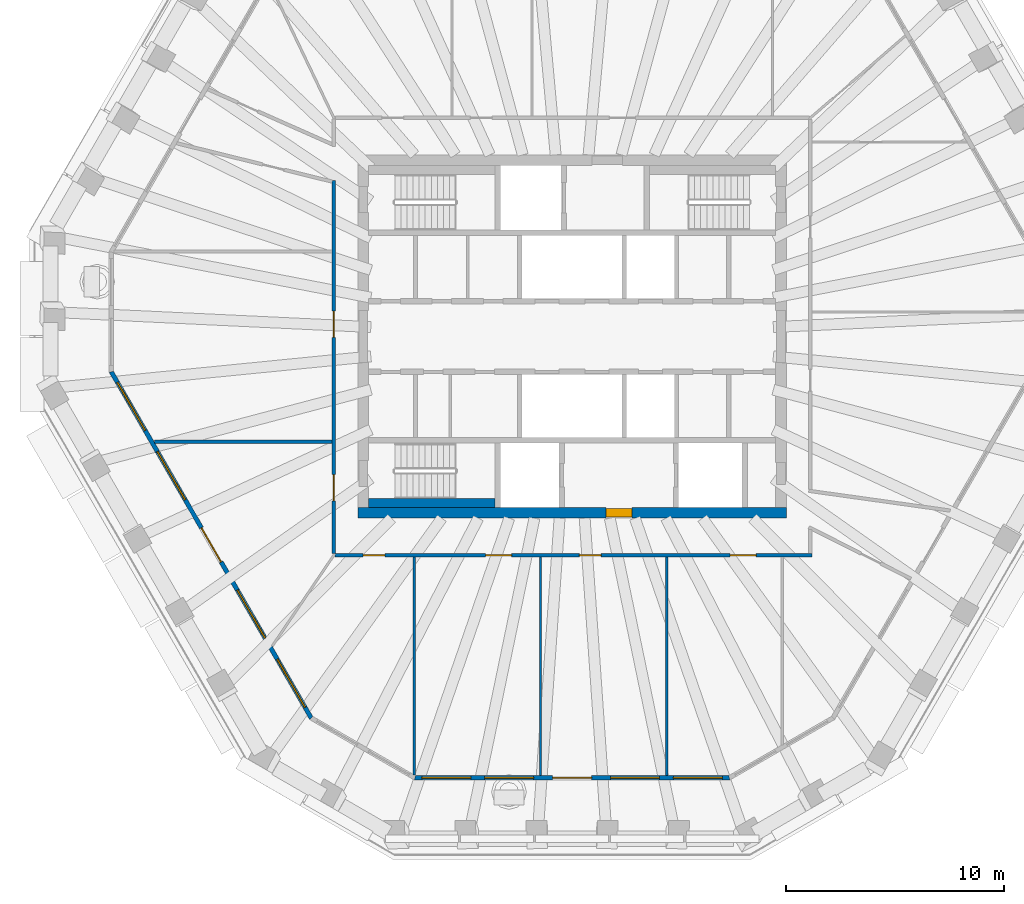
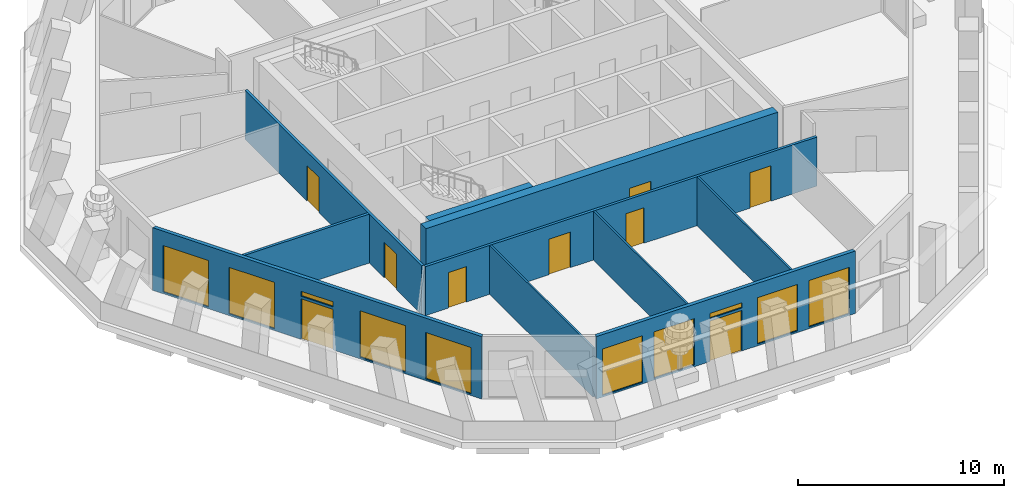
# One storey, part 3 of 11: 10 walls, 10 windows, 9 doors, 19 openings.
"""IFC4 building model written with IfcOpenShell, lengths in metres."""

from ifc_helpers import new_model, si_unit, direction, frame, frame_2d, origin, place, context, subcontext, project, spatial, polyline, rectangle, outline, extrude, material, layer, layer_set, type_object, element, fill, save


model = new_model("IFC4")

# Units and contexts
model_context = context("Model", 3, precision=1e-05, world=origin(), true_north=direction((0.0, 1.0)))
body_context = subcontext(model_context, "Body", "Model", "MODEL_VIEW")
ifc_project = project(units=[si_unit("LENGTHUNIT", "METRE"), si_unit("AREAUNIT", "SQUARE_METRE"), si_unit("VOLUMEUNIT", "CUBIC_METRE"), si_unit("PLANEANGLEUNIT", "RADIAN"), si_unit("MASSUNIT", "GRAM", prefix="KILO")], contexts=[model_context])

# Site, building, storey
site_placement = place(None, origin())
site = spatial("IfcSite", under=ifc_project, at=site_placement, CompositionType="ELEMENT")
building_placement = place(site_placement, origin())
building = spatial("IfcBuilding", under=site, at=building_placement, Name="Frailejon Research Tower", CompositionType="ELEMENT")
storey_placement = place(building_placement, frame((0.0, 0.0, 299.0)))
storey = spatial("IfcBuildingStorey", under=building, at=storey_placement, Name="L66", CompositionType="ELEMENT", Elevation=299.0)

# Wall, opening, door
ifc_material_1 = material(Name="Concrete C50/60", Category="concrete")
ifc_layer_1 = layer(ifc_material_1, 0.5)
ifc_layer_set_1 = layer_set([ifc_layer_1], Name="Core shear wall 500 C50/60")
wall_type_1 = type_object("IfcWallType", Name="Core shear wall 500 C50/60", PredefinedType="SHEAR", material=ifc_layer_set_1)
wall_1_placement = place(storey_placement, frame((-9.85009765625, -8.10009765625, 0.0), z_axis=(0.0, 0.0, 1.0), x_axis=(1.0, 0.0, 0.0)))
wall_1 = element("IfcWall", 1, at=wall_1_placement, inside=storey, type_object=wall_type_1, Name="Core shear wall", PredefinedType="SHEAR", context=body_context, shape_type="SweptSolid", body=[
    extrude(rectangle(XDim=19.7001953125, YDim=0.5, at=frame_2d((9.85009765625, 0.0))), origin(), (0.0, 0.0, 1.0), 3.699951171875),
])
opening_1_placement = place(wall_1_placement, frame((11.39990234375, 0.0, 0.0)))
opening_1 = element("IfcOpeningElement", 2, at=opening_1_placement, cuts=wall_1, Name="Opening D3", PredefinedType="OPENING", context=body_context, shape_type="SweptSolid", body=[
    extrude(rectangle(XDim=1.199951171875, YDim=2.10009765625, at=frame_2d((0.60009765625, 1.050048828125))), frame((0.0, 0.260009765625, 0.0), z_axis=(0.0, -1.0, 0.0), x_axis=(1.0, 0.0, 0.0)), (0.0, 0.0, 1.0), 0.52001953125),
])
ifc_material_2 = material(Name="Steel", Category="steel")
door_type_1 = type_object("IfcDoorType", Name="Firefighting lobby door", OperationType="SINGLE_SWING_LEFT", PredefinedType="DOOR", material=ifc_material_2)
door_1_placement = place(opening_1_placement, origin())
door_1 = element("IfcDoor", 3, at=door_1_placement, inside=storey, type_object=door_type_1, Name="Firefighting lobby door", OperationType="SINGLE_SWING_RIGHT", OverallHeight=2.10009765625, OverallWidth=1.199951171875, PredefinedType="DOOR", context=body_context, shape_type="SweptSolid", body=[
    extrude(rectangle(XDim=1.199951171875, YDim=2.10009765625, at=frame_2d((0.60009765625, 1.050048828125))), frame((0.0, 0.199951171875, 0.0), z_axis=(0.0, -1.0, 0.0), x_axis=(1.0, 0.0, 0.0)), (0.0, 0.0, 1.0), 0.39990234375),
])
fill(opening_1, door_1)

# Wall, openings, doors
ifc_material_3 = material(Name="Gypsum board and masonry partition", Category="masonry")
ifc_layer_2 = layer(ifc_material_3, 0.14990234375)
ifc_layer_set_2 = layer_set([ifc_layer_2], Name="Corridor wall EI 60, gypsum on steel studs 150")
wall_type_2 = type_object("IfcWallType", Name="Corridor wall EI 60, gypsum on steel studs 150", PredefinedType="PARTITIONING", material=ifc_layer_set_2)
wall_2_placement = place(storey_placement, frame((-10.949951171875, -9.97509765625, 0.0), z_axis=(0.0, 0.0, 1.0), x_axis=(0.0, 1.0, 0.0)))
wall_2 = element("IfcWall", 4, at=wall_2_placement, inside=storey, type_object=wall_type_2, Name="T:IW:L66:006", PredefinedType="PARTITIONING", context=body_context, shape_type="SweptSolid", body=[
    extrude(rectangle(XDim=17.150146484375, YDim=0.14990234375, at=frame_2d((8.5751953125, 0.0))), origin(), (0.0, 0.0, 1.0), 2.89990234375),
])
opening_2_placement = place(wall_2_placement, frame((9.93798828125, 0.0, 0.0)))
opening_2 = element("IfcOpeningElement", 5, at=opening_2_placement, cuts=wall_2, Name="Opening D2273", PredefinedType="OPENING", context=body_context, shape_type="SweptSolid", body=[
    extrude(rectangle(XDim=1.199951171875, YDim=2.10009765625, at=frame_2d((0.60009765625, 1.050048828125))), frame((0.0, 0.0849609375, 0.0), z_axis=(0.0, -1.0, 0.0), x_axis=(1.0, 0.0, 0.0)), (0.0, 0.0, 1.0), 0.169921875),
])
opening_3_placement = place(wall_2_placement, frame((2.427490234375, 0.0, 0.0)))
opening_3 = element("IfcOpeningElement", 6, at=opening_3_placement, cuts=wall_2, Name="Opening D2274", PredefinedType="OPENING", context=body_context, shape_type="SweptSolid", body=[
    extrude(rectangle(XDim=1.199951171875, YDim=2.10009765625, at=frame_2d((0.60009765625, 1.050048828125))), frame((0.0, 0.0849609375, 0.0), z_axis=(0.0, -1.0, 0.0), x_axis=(1.0, 0.0, 0.0)), (0.0, 0.0, 1.0), 0.169921875),
])
ifc_material_4 = material(Name="Timber door leaf", Category="wood")
door_type_2 = type_object("IfcDoorType", Name="Door laboratory, timber, vision panel 1200", OperationType="NOTDEFINED", PredefinedType="DOOR", material=ifc_material_4)
door_2_placement = place(opening_2_placement, origin())
door_2 = element("IfcDoor", 7, at=door_2_placement, inside=storey, type_object=door_type_2, Name="D2273", OperationType="DOUBLE_DOOR_SINGLE_SWING", OverallHeight=2.10009765625, OverallWidth=1.199951171875, PredefinedType="DOOR", context=body_context, shape_type="SweptSolid", body=[
    extrude(rectangle(XDim=1.199951171875, YDim=2.10009765625, at=frame_2d((0.60009765625, 1.050048828125))), frame((0.0, 0.02490234375, 0.0), z_axis=(0.0, -1.0, 0.0), x_axis=(1.0, 0.0, 0.0)), (0.0, 0.0, 1.0), 0.050048828125),
])
fill(opening_2, door_2)
ifc_material_5 = material(Name="Timber door leaf", Category="wood")
door_type_3 = type_object("IfcDoorType", Name="Door single leaf, timber, steel frame 1200", OperationType="NOTDEFINED", PredefinedType="DOOR", material=ifc_material_5)
door_3_placement = place(opening_3_placement, origin())
door_3 = element("IfcDoor", 8, at=door_3_placement, inside=storey, type_object=door_type_3, Name="D2274", OperationType="DOUBLE_DOOR_SINGLE_SWING", OverallHeight=2.10009765625, OverallWidth=1.199951171875, PredefinedType="DOOR", context=body_context, shape_type="SweptSolid", body=[
    extrude(rectangle(XDim=1.199951171875, YDim=2.10009765625, at=frame_2d((0.60009765625, 1.050048828125))), frame((0.0, 0.02490234375, 0.0), z_axis=(0.0, -1.0, 0.0), x_axis=(1.0, 0.0, 0.0)), (0.0, 0.0, 1.0), 0.050048828125),
])
fill(opening_3, door_3)

wall_3_placement = place(storey_placement, frame((-10.89990234375, -10.050048828125, 0.0), z_axis=(0.0, 0.0, 1.0), x_axis=(1.0, 0.0, 0.0)))
wall_3 = element("IfcWall", 9, at=wall_3_placement, inside=storey, type_object=wall_type_2, Name="T:IW:L66:008", PredefinedType="PARTITIONING", context=body_context, shape_type="SweptSolid", body=[
    extrude(rectangle(XDim=21.9248046875, YDim=0.14990234375, at=frame_2d((10.96240234375, 0.0))), origin(), (0.0, 0.0, 1.0), 2.89990234375),
])
opening_4_placement = place(wall_3_placement, frame((1.298828125, 0.0, 0.0)))
opening_4 = element("IfcOpeningElement", 10, at=opening_4_placement, cuts=wall_3, Name="Opening D2275", PredefinedType="OPENING", context=body_context, shape_type="SweptSolid", body=[
    extrude(rectangle(XDim=1.0, YDim=2.10009765625, at=frame_2d((0.5, 1.050048828125))), frame((0.0, 0.0849609375, 0.0), z_axis=(0.0, -1.0, 0.0), x_axis=(1.0, 0.0, 0.0)), (0.0, 0.0, 1.0), 0.169921875),
])
opening_5_placement = place(wall_3_placement, frame((6.924072265625, 0.0, 0.0)))
opening_5 = element("IfcOpeningElement", 11, at=opening_5_placement, cuts=wall_3, Name="Opening D2276", PredefinedType="OPENING", context=body_context, shape_type="SweptSolid", body=[
    extrude(rectangle(XDim=1.199951171875, YDim=2.10009765625, at=frame_2d((0.60009765625, 1.050048828125))), frame((0.0, 0.0849609375, 0.0), z_axis=(0.0, -1.0, 0.0), x_axis=(1.0, 0.0, 0.0)), (0.0, 0.0, 1.0), 0.169921875),
])
opening_6_placement = place(wall_3_placement, frame((11.235107421875, 0.0, 0.0)))
opening_6 = element("IfcOpeningElement", 12, at=opening_6_placement, cuts=wall_3, Name="Opening D2277", PredefinedType="OPENING", context=body_context, shape_type="SweptSolid", body=[
    extrude(rectangle(XDim=1.0, YDim=2.10009765625, at=frame_2d((0.5, 1.050048828125))), frame((0.0, 0.0849609375, 0.0), z_axis=(0.0, -1.0, 0.0), x_axis=(1.0, 0.0, 0.0)), (0.0, 0.0, 1.0), 0.169921875),
])
opening_7_placement = place(wall_3_placement, frame((18.156982421875, 0.0, 0.0)))
opening_7 = element("IfcOpeningElement", 13, at=opening_7_placement, cuts=wall_3, Name="Opening D2278", PredefinedType="OPENING", context=body_context, shape_type="SweptSolid", body=[
    extrude(rectangle(XDim=1.199951171875, YDim=2.10009765625, at=frame_2d((0.60009765625, 1.050048828125))), frame((0.0, 0.0849609375, 0.0), z_axis=(0.0, -1.0, 0.0), x_axis=(1.0, 0.0, 0.0)), (0.0, 0.0, 1.0), 0.169921875),
])
ifc_material_6 = material(Name="Timber door leaf", Category="wood")
door_type_4 = type_object("IfcDoorType", Name="Door single leaf, timber, steel frame 1000", OperationType="NOTDEFINED", PredefinedType="DOOR", material=ifc_material_6)
door_4_placement = place(opening_4_placement, origin())
door_4 = element("IfcDoor", 14, at=door_4_placement, inside=storey, type_object=door_type_4, Name="D2275", OperationType="SINGLE_SWING_RIGHT", OverallHeight=2.10009765625, OverallWidth=1.0, PredefinedType="DOOR", context=body_context, shape_type="SweptSolid", body=[
    extrude(rectangle(XDim=1.0, YDim=2.10009765625, at=frame_2d((0.5, 1.050048828125))), frame((0.0, 0.02490234375, 0.0), z_axis=(0.0, -1.0, 0.0), x_axis=(1.0, 0.0, 0.0)), (0.0, 0.0, 1.0), 0.050048828125),
])
fill(opening_4, door_4)
door_5_placement = place(opening_6_placement, origin())
door_5 = element("IfcDoor", 15, at=door_5_placement, inside=storey, type_object=door_type_4, Name="D2277", OperationType="SINGLE_SWING_RIGHT", OverallHeight=2.10009765625, OverallWidth=1.0, PredefinedType="DOOR", context=body_context, shape_type="SweptSolid", body=[
    extrude(rectangle(XDim=1.0, YDim=2.10009765625, at=frame_2d((0.5, 1.050048828125))), frame((0.0, 0.02490234375, 0.0), z_axis=(0.0, -1.0, 0.0), x_axis=(1.0, 0.0, 0.0)), (0.0, 0.0, 1.0), 0.050048828125),
])
fill(opening_6, door_5)
door_6_placement = place(opening_5_placement, origin())
door_6 = element("IfcDoor", 16, at=door_6_placement, inside=storey, type_object=door_type_3, Name="D2276", OperationType="DOUBLE_DOOR_SINGLE_SWING", OverallHeight=2.10009765625, OverallWidth=1.199951171875, PredefinedType="DOOR", context=body_context, shape_type="SweptSolid", body=[
    extrude(rectangle(XDim=1.199951171875, YDim=2.10009765625, at=frame_2d((0.60009765625, 1.050048828125))), frame((0.0, 0.02490234375, 0.0), z_axis=(0.0, -1.0, 0.0), x_axis=(1.0, 0.0, 0.0)), (0.0, 0.0, 1.0), 0.050048828125),
])
fill(opening_5, door_6)
door_7_placement = place(opening_7_placement, origin())
door_7 = element("IfcDoor", 17, at=door_7_placement, inside=storey, type_object=door_type_3, Name="D2278", OperationType="DOUBLE_DOOR_SINGLE_SWING", OverallHeight=2.10009765625, OverallWidth=1.199951171875, PredefinedType="DOOR", context=body_context, shape_type="SweptSolid", body=[
    extrude(rectangle(XDim=1.199951171875, YDim=2.10009765625, at=frame_2d((0.60009765625, 1.050048828125))), frame((0.0, 0.02490234375, 0.0), z_axis=(0.0, -1.0, 0.0), x_axis=(1.0, 0.0, 0.0)), (0.0, 0.0, 1.0), 0.050048828125),
])
fill(opening_7, door_7)

# Walls
ifc_material_7 = material(Name="Gypsum board and masonry partition", Category="masonry")
ifc_layer_3 = layer(ifc_material_7, 0.14990234375)
ifc_layer_set_3 = layer_set([ifc_layer_3], Name="Laboratory partition, blockwork 150")
wall_type_3 = type_object("IfcWallType", Name="Laboratory partition, blockwork 150", PredefinedType="PARTITIONING", material=ifc_layer_set_3)
wall_4_placement = place(storey_placement, frame((-19.20361328125, -4.83837890625, 0.0), z_axis=(0.0, 0.0, 1.0), x_axis=(1.0, 0.0, 0.0)))
element("IfcWall", 18, at=wall_4_placement, inside=storey, type_object=wall_type_3, Name="T:IW:L66:012", PredefinedType="PARTITIONING", context=body_context, shape_type="SweptSolid", body=[
    extrude(rectangle(XDim=8.1787109375, YDim=0.14990234375, at=frame_2d((4.08935546875, 0.0))), origin(), (0.0, 0.0, 1.0), 2.89990234375),
])
ifc_material_8 = material(Name="Gypsum board and masonry partition", Category="masonry")
ifc_layer_4 = layer(ifc_material_8, 0.10009765625)
ifc_layer_set_4 = layer_set([ifc_layer_4], Name="Partition, gypsum on steel studs 100")
wall_type_4 = type_object("IfcWallType", Name="Partition, gypsum on steel studs 100", PredefinedType="PARTITIONING", material=ifc_layer_set_4)
wall_5_placement = place(storey_placement, frame((-7.25244140625, -20.150390625, 0.0), z_axis=(0.0, 0.0, 1.0), x_axis=(0.0, 1.0, 0.0)))
element("IfcWall", 19, at=wall_5_placement, inside=storey, type_object=wall_type_4, Name="T:IW:L66:021", PredefinedType="PARTITIONING", context=body_context, shape_type="SweptSolid", body=[
    extrude(rectangle(XDim=10.025390625, YDim=0.10009765625, at=frame_2d((5.0126953125, 0.0))), origin(), (0.0, 0.0, 1.0), 2.89990234375),
])
for number, where, z_axis, x_axis, name in (
    (20, (-1.450439453125, -20.181396484375, 0.0), (0.0, 0.0, 1.0), (0.0, 1.0, 0.0), "T:IW:L66:022"),
    (21, (4.3515625, -20.181396484375, 0.0), (0.0, 0.0, 1.0), (0.0, 1.0, 0.0), "T:IW:L66:023"),
):
    element("IfcWall", number, at=place(storey_placement, frame(where, z_axis=z_axis, x_axis=x_axis)), inside=storey, type_object=wall_type_4, Name=name, PredefinedType="PARTITIONING", context=body_context, shape_type="SweptSolid", body=[
        extrude(rectangle(XDim=10.056396484375, YDim=0.10009765625, at=frame_2d((5.0283203125, 0.0))), origin(), (0.0, 0.0, 1.0), 2.89990234375),
    ])
ifc_material_9 = material(Name="Concrete C50/60", Category="concrete")
ifc_layer_5 = layer(ifc_material_9, 0.39990234375)
ifc_layer_set_5 = layer_set([ifc_layer_5], Name="Shaft wall 400 C50/60")
wall_type_5 = type_object("IfcWallType", Name="Shaft wall 400 C50/60", PredefinedType="SOLIDWALL", material=ifc_layer_set_5)
wall_6_placement = place(storey_placement, frame((-9.35009765625, -7.64990234375, 0.0), z_axis=(0.0, 0.0, 1.0), x_axis=(1.0, 0.0, 0.0)))
element("IfcWall", 22, at=wall_6_placement, inside=storey, type_object=wall_type_5, Name="Shaft wall", PredefinedType="SOLIDWALL", context=body_context, shape_type="SweptSolid", body=[
    extrude(rectangle(XDim=5.800048828125, YDim=0.39990234375, at=frame_2d((2.89990234375, 0.0))), origin(), (0.0, 0.0, 1.0), 3.699951171875),
])

# Wall, openings, door, windows
ifc_material_10 = material(Name="Concrete C40/50 precast window wall panel", Category="concrete")
ifc_layer_6 = layer(ifc_material_10, 0.199951171875)
ifc_layer_set_6 = layer_set([ifc_layer_6], Name="Window wall 200")
wall_type_6 = type_object("IfcWallType", Name="Window wall 200", PredefinedType="SOLIDWALL", material=ifc_layer_set_6)
wall_7_placement = place(storey_placement, frame((-21.177001953125, -1.620361328125, 0.0), z_axis=(0.0, 0.0, 1.0), x_axis=(0.50000545275, -0.866022255615, 0.0)))
wall_7 = element("IfcWall", 23, at=wall_7_placement, inside=storey, type_object=wall_type_6, Name="Exterior wall L66", PredefinedType="SOLIDWALL", context=body_context, shape_type="SweptSolid", body=[
    extrude(outline(polyline([(-0.02685546875, -0.10009765625), (0.99658203125, -0.10009765625), (2.020263671875, -0.10009765625), (3.0439453125, -0.10009765625), (4.0673828125, -0.10009765625), (5.0908203125, -0.10009765625), (6.114501953125, -0.10009765625), (7.13818359375, -0.10009765625), (8.16162109375, -0.10009765625), (9.18505859375, -0.10009765625), (10.208740234375, -0.10009765625), (11.232421875, -0.10009765625), (12.255859375, -0.10009765625), (13.279296875, -0.10009765625), (14.302978515625, -0.10009765625), (15.32666015625, -0.10009765625), (16.35009765625, -0.10009765625), (17.37353515625, -0.10009765625), (18.397216796875, -0.10009765625), (18.343505859375, 0.10009765625), (17.325927734375, 0.10009765625), (16.308349609375, 0.10009765625), (15.290771484375, 0.10009765625), (14.273193359375, 0.10009765625), (13.255615234375, 0.10009765625), (12.238037109375, 0.10009765625), (11.220458984375, 0.10009765625), (10.202880859375, 0.10009765625), (9.18505859375, 0.10009765625), (8.16748046875, 0.10009765625), (7.14990234375, 0.10009765625), (6.13232421875, 0.10009765625), (5.11474609375, 0.10009765625), (4.09716796875, 0.10009765625), (3.07958984375, 0.10009765625), (2.06201171875, 0.10009765625), (1.04443359375, 0.10009765625), (0.02685546875, 0.10009765625), (-0.02685546875, -0.10009765625)])), origin(), (0.0, 0.0, 1.0), 3.699951171875),
])
opening_8_placement = place(wall_7_placement, frame((0.56201171875, 0.0, 0.10009765625)))
opening_8 = element("IfcOpeningElement", 24, at=opening_8_placement, cuts=wall_7, Name="Opening W25", PredefinedType="OPENING", context=body_context, shape_type="SweptSolid", body=[
    extrude(rectangle(XDim=2.550048828125, YDim=2.75, at=frame_2d((1.27490234375, 1.375))), frame((0.0, 0.10986328125, 0.0), z_axis=(0.0, -1.0, 0.0), x_axis=(1.0, 0.0, 0.0)), (0.0, 0.0, 1.0), 0.219970703125),
])
opening_9_placement = place(wall_7_placement, frame((4.236083984375, 0.0, 0.10009765625)))
opening_9 = element("IfcOpeningElement", 25, at=opening_9_placement, cuts=wall_7, Name="Opening W25", PredefinedType="OPENING", context=body_context, shape_type="SweptSolid", body=[
    extrude(rectangle(XDim=2.550048828125, YDim=2.75, at=frame_2d((1.27490234375, 1.375))), frame((0.0, 0.10986328125, 0.0), z_axis=(0.0, -1.0, 0.0), x_axis=(1.0, 0.0, 0.0)), (0.0, 0.0, 1.0), 0.219970703125),
])
opening_10_placement = place(wall_7_placement, frame((8.28515625, 0.0, 0.0)))
opening_10 = element("IfcOpeningElement", 26, at=opening_10_placement, cuts=wall_7, Name="Opening LG66-4", PredefinedType="OPENING", context=body_context, shape_type="SweptSolid", body=[
    extrude(rectangle(XDim=1.800048828125, YDim=2.39990234375, at=frame_2d((0.89990234375, 1.199951171875))), frame((0.0, 0.10986328125, 0.0), z_axis=(0.0, -1.0, 0.0), x_axis=(1.0, 0.0, 0.0)), (0.0, 0.0, 1.0), 0.219970703125),
])
opening_11_placement = place(wall_7_placement, frame((8.28515625, 0.0, 2.550048828125)))
opening_11 = element("IfcOpeningElement", 27, at=opening_11_placement, cuts=wall_7, Name="Opening W24", PredefinedType="OPENING", context=body_context, shape_type="SweptSolid", body=[
    extrude(rectangle(XDim=1.800048828125, YDim=0.300048828125, at=frame_2d((0.89990234375, 0.14990234375))), frame((0.0, 0.10986328125, 0.0), z_axis=(0.0, -1.0, 0.0), x_axis=(1.0, 0.0, 0.0)), (0.0, 0.0, 1.0), 0.219970703125),
])
opening_12_placement = place(wall_7_placement, frame((11.584228515625, 0.0, 0.10009765625)))
opening_12 = element("IfcOpeningElement", 28, at=opening_12_placement, cuts=wall_7, Name="Opening W25", PredefinedType="OPENING", context=body_context, shape_type="SweptSolid", body=[
    extrude(rectangle(XDim=2.550048828125, YDim=2.75, at=frame_2d((1.27490234375, 1.375))), frame((0.0, 0.10986328125, 0.0), z_axis=(0.0, -1.0, 0.0), x_axis=(1.0, 0.0, 0.0)), (0.0, 0.0, 1.0), 0.219970703125),
])
opening_13_placement = place(wall_7_placement, frame((15.25830078125, 0.0, 0.10009765625)))
opening_13 = element("IfcOpeningElement", 29, at=opening_13_placement, cuts=wall_7, Name="Opening W25", PredefinedType="OPENING", context=body_context, shape_type="SweptSolid", body=[
    extrude(rectangle(XDim=2.550048828125, YDim=2.75, at=frame_2d((1.27490234375, 1.375))), frame((0.0, 0.10986328125, 0.0), z_axis=(0.0, -1.0, 0.0), x_axis=(1.0, 0.0, 0.0)), (0.0, 0.0, 1.0), 0.219970703125),
])
ifc_material_11 = material(Name="Aluminium framed glazed door leaf", Category="aluminium")
door_type_5 = type_object("IfcDoorType", Name="Loggia door 1800x2400", OperationType="DOUBLE_DOOR_SINGLE_SWING", PredefinedType="DOOR", material=ifc_material_11)
door_8_placement = place(opening_10_placement, origin())
door_8 = element("IfcDoor", 30, at=door_8_placement, inside=storey, type_object=door_type_5, Name="Door LG66-4", OperationType="DOUBLE_DOOR_SINGLE_SWING", OverallHeight=2.39990234375, OverallWidth=1.800048828125, PredefinedType="DOOR", context=body_context, shape_type="SweptSolid", body=[
    extrude(rectangle(XDim=1.800048828125, YDim=2.39990234375, at=frame_2d((0.89990234375, 1.199951171875))), frame((0.0, 0.02490234375, 0.0), z_axis=(0.0, -1.0, 0.0), x_axis=(1.0, 0.0, 0.0)), (0.0, 0.0, 1.0), 0.050048828125),
])
fill(opening_10, door_8)
ifc_material_12 = material(Name="Aluminium framed double glazing", Category="aluminium")
window_type_1 = type_object("IfcWindowType", Name="Window 1800x300", PartitioningType="SINGLE_PANEL", PredefinedType="WINDOW", material=ifc_material_12)
window_1_placement = place(opening_11_placement, origin())
window_1 = element("IfcWindow", 31, at=window_1_placement, inside=storey, type_object=window_type_1, Name="Window L66", OverallHeight=0.300048828125, OverallWidth=1.800048828125, PartitioningType="SINGLE_PANEL", PredefinedType="WINDOW", context=body_context, shape_type="SweptSolid", body=[
    extrude(rectangle(XDim=1.800048828125, YDim=0.300048828125, at=frame_2d((0.89990234375, 0.14990234375))), frame((0.0, 0.030029296875, 0.0), z_axis=(0.0, -1.0, 0.0), x_axis=(1.0, 0.0, 0.0)), (0.0, 0.0, 1.0), 0.06005859375),
])
fill(opening_11, window_1)
ifc_material_13 = material(Name="Aluminium framed double glazing", Category="aluminium")
window_type_2 = type_object("IfcWindowType", Name="Window 2550x2750", PartitioningType="SINGLE_PANEL", PredefinedType="WINDOW", material=ifc_material_13)
window_2_placement = place(opening_8_placement, origin())
window_2 = element("IfcWindow", 32, at=window_2_placement, inside=storey, type_object=window_type_2, Name="Window L66", OverallHeight=2.75, OverallWidth=2.550048828125, PartitioningType="SINGLE_PANEL", PredefinedType="WINDOW", context=body_context, shape_type="SweptSolid", body=[
    extrude(rectangle(XDim=2.550048828125, YDim=2.75, at=frame_2d((1.27490234375, 1.375))), frame((0.0, 0.030029296875, 0.0), z_axis=(0.0, -1.0, 0.0), x_axis=(1.0, 0.0, 0.0)), (0.0, 0.0, 1.0), 0.06005859375),
])
fill(opening_8, window_2)
window_3_placement = place(opening_9_placement, origin())
window_3 = element("IfcWindow", 33, at=window_3_placement, inside=storey, type_object=window_type_2, Name="Window L66", OverallHeight=2.75, OverallWidth=2.550048828125, PartitioningType="SINGLE_PANEL", PredefinedType="WINDOW", context=body_context, shape_type="SweptSolid", body=[
    extrude(rectangle(XDim=2.550048828125, YDim=2.75, at=frame_2d((1.27490234375, 1.375))), frame((0.0, 0.030029296875, 0.0), z_axis=(0.0, -1.0, 0.0), x_axis=(1.0, 0.0, 0.0)), (0.0, 0.0, 1.0), 0.06005859375),
])
fill(opening_9, window_3)
window_4_placement = place(opening_12_placement, origin())
window_4 = element("IfcWindow", 34, at=window_4_placement, inside=storey, type_object=window_type_2, Name="Window L66", OverallHeight=2.75, OverallWidth=2.550048828125, PartitioningType="SINGLE_PANEL", PredefinedType="WINDOW", context=body_context, shape_type="SweptSolid", body=[
    extrude(rectangle(XDim=2.550048828125, YDim=2.75, at=frame_2d((1.27490234375, 1.375))), frame((0.0, 0.030029296875, 0.0), z_axis=(0.0, -1.0, 0.0), x_axis=(1.0, 0.0, 0.0)), (0.0, 0.0, 1.0), 0.06005859375),
])
fill(opening_12, window_4)
window_5_placement = place(opening_13_placement, origin())
window_5 = element("IfcWindow", 35, at=window_5_placement, inside=storey, type_object=window_type_2, Name="Window L66", OverallHeight=2.75, OverallWidth=2.550048828125, PartitioningType="SINGLE_PANEL", PredefinedType="WINDOW", context=body_context, shape_type="SweptSolid", body=[
    extrude(rectangle(XDim=2.550048828125, YDim=2.75, at=frame_2d((1.27490234375, 1.375))), frame((0.0, 0.030029296875, 0.0), z_axis=(0.0, -1.0, 0.0), x_axis=(1.0, 0.0, 0.0)), (0.0, 0.0, 1.0), 0.06005859375),
])
fill(opening_13, window_5)

wall_8_placement = place(storey_placement, frame((-7.2255859375, -20.28125, 0.0), z_axis=(0.0, 0.0, 1.0), x_axis=(1.0, 0.0, 0.0)))
wall_8 = element("IfcWall", 36, at=wall_8_placement, inside=storey, type_object=wall_type_6, Name="Exterior wall L66", PredefinedType="SOLIDWALL", context=body_context, shape_type="SweptSolid", body=[
    extrude(outline(polyline([(-0.02685546875, -0.10009765625), (1.00927734375, -0.10009765625), (2.045166015625, -0.10009765625), (3.081298828125, -0.10009765625), (4.117431640625, -0.10009765625), (5.153564453125, -0.10009765625), (6.189453125, -0.10009765625), (7.2255859375, -0.10009765625), (8.26171875, -0.10009765625), (9.297607421875, -0.10009765625), (10.333740234375, -0.10009765625), (11.369873046875, -0.10009765625), (12.406005859375, -0.10009765625), (13.44189453125, -0.10009765625), (14.47802734375, -0.10009765625), (14.42431640625, 0.10009765625), (13.39599609375, 0.10009765625), (12.367431640625, 0.10009765625), (11.339111328125, 0.10009765625), (10.310791015625, 0.10009765625), (9.282470703125, 0.10009765625), (8.25390625, 0.10009765625), (7.2255859375, 0.10009765625), (6.197265625, 0.10009765625), (5.168701171875, 0.10009765625), (4.140380859375, 0.10009765625), (3.112060546875, 0.10009765625), (2.083740234375, 0.10009765625), (1.05517578125, 0.10009765625), (0.02685546875, 0.10009765625), (-0.02685546875, -0.10009765625)])), origin(), (0.0, 0.0, 1.0), 3.699951171875),
])
opening_14_placement = place(wall_8_placement, frame((0.320068359375, 0.0, 0.10009765625)))
opening_14 = element("IfcOpeningElement", 37, at=opening_14_placement, cuts=wall_8, Name="Opening W23", PredefinedType="OPENING", context=body_context, shape_type="SweptSolid", body=[
    extrude(rectangle(XDim=2.25, YDim=2.75, at=frame_2d((1.125, 1.375))), frame((0.0, 0.10986328125, 0.0), z_axis=(0.0, -1.0, 0.0), x_axis=(1.0, 0.0, 0.0)), (0.0, 0.0, 1.0), 0.219970703125),
])
opening_15_placement = place(wall_8_placement, frame((3.21044921875, 0.0, 0.10009765625)))
opening_15 = element("IfcOpeningElement", 38, at=opening_15_placement, cuts=wall_8, Name="Opening W23", PredefinedType="OPENING", context=body_context, shape_type="SweptSolid", body=[
    extrude(rectangle(XDim=2.25, YDim=2.75, at=frame_2d((1.125, 1.375))), frame((0.0, 0.10986328125, 0.0), z_axis=(0.0, -1.0, 0.0), x_axis=(1.0, 0.0, 0.0)), (0.0, 0.0, 1.0), 0.219970703125),
])
opening_16_placement = place(wall_8_placement, frame((6.32568359375, 0.0, 0.0)))
opening_16 = element("IfcOpeningElement", 39, at=opening_16_placement, cuts=wall_8, Name="Opening LG66-5", PredefinedType="OPENING", context=body_context, shape_type="SweptSolid", body=[
    extrude(rectangle(XDim=1.800048828125, YDim=2.39990234375, at=frame_2d((0.89990234375, 1.199951171875))), frame((0.0, 0.10986328125, 0.0), z_axis=(0.0, -1.0, 0.0), x_axis=(1.0, 0.0, 0.0)), (0.0, 0.0, 1.0), 0.219970703125),
])
opening_17_placement = place(wall_8_placement, frame((6.32568359375, 0.0, 2.550048828125)))
opening_17 = element("IfcOpeningElement", 40, at=opening_17_placement, cuts=wall_8, Name="Opening W24", PredefinedType="OPENING", context=body_context, shape_type="SweptSolid", body=[
    extrude(rectangle(XDim=1.800048828125, YDim=0.300048828125, at=frame_2d((0.89990234375, 0.14990234375))), frame((0.0, 0.10986328125, 0.0), z_axis=(0.0, -1.0, 0.0), x_axis=(1.0, 0.0, 0.0)), (0.0, 0.0, 1.0), 0.219970703125),
])
opening_18_placement = place(wall_8_placement, frame((8.990966796875, 0.0, 0.10009765625)))
opening_18 = element("IfcOpeningElement", 41, at=opening_18_placement, cuts=wall_8, Name="Opening W23", PredefinedType="OPENING", context=body_context, shape_type="SweptSolid", body=[
    extrude(rectangle(XDim=2.25, YDim=2.75, at=frame_2d((1.125, 1.375))), frame((0.0, 0.10986328125, 0.0), z_axis=(0.0, -1.0, 0.0), x_axis=(1.0, 0.0, 0.0)), (0.0, 0.0, 1.0), 0.219970703125),
])
opening_19_placement = place(wall_8_placement, frame((11.881103515625, 0.0, 0.10009765625)))
opening_19 = element("IfcOpeningElement", 42, at=opening_19_placement, cuts=wall_8, Name="Opening W23", PredefinedType="OPENING", context=body_context, shape_type="SweptSolid", body=[
    extrude(rectangle(XDim=2.25, YDim=2.75, at=frame_2d((1.125, 1.375))), frame((0.0, 0.10986328125, 0.0), z_axis=(0.0, -1.0, 0.0), x_axis=(1.0, 0.0, 0.0)), (0.0, 0.0, 1.0), 0.219970703125),
])
door_9_placement = place(opening_16_placement, origin())
door_9 = element("IfcDoor", 43, at=door_9_placement, inside=storey, type_object=door_type_5, Name="Door LG66-5", OperationType="DOUBLE_DOOR_SINGLE_SWING", OverallHeight=2.39990234375, OverallWidth=1.800048828125, PredefinedType="DOOR", context=body_context, shape_type="SweptSolid", body=[
    extrude(rectangle(XDim=1.800048828125, YDim=2.39990234375, at=frame_2d((0.89990234375, 1.199951171875))), frame((0.0, 0.02490234375, 0.0), z_axis=(0.0, -1.0, 0.0), x_axis=(1.0, 0.0, 0.0)), (0.0, 0.0, 1.0), 0.050048828125),
])
fill(opening_16, door_9)
window_6_placement = place(opening_17_placement, origin())
window_6 = element("IfcWindow", 44, at=window_6_placement, inside=storey, type_object=window_type_1, Name="Window L66", OverallHeight=0.300048828125, OverallWidth=1.800048828125, PartitioningType="SINGLE_PANEL", PredefinedType="WINDOW", context=body_context, shape_type="SweptSolid", body=[
    extrude(rectangle(XDim=1.800048828125, YDim=0.300048828125, at=frame_2d((0.89990234375, 0.14990234375))), frame((0.0, 0.030029296875, 0.0), z_axis=(0.0, -1.0, 0.0), x_axis=(1.0, 0.0, 0.0)), (0.0, 0.0, 1.0), 0.06005859375),
])
fill(opening_17, window_6)
ifc_material_14 = material(Name="Aluminium framed double glazing", Category="aluminium")
window_type_3 = type_object("IfcWindowType", Name="Window 2250x2750", PartitioningType="SINGLE_PANEL", PredefinedType="WINDOW", material=ifc_material_14)
window_7_placement = place(opening_14_placement, origin())
window_7 = element("IfcWindow", 45, at=window_7_placement, inside=storey, type_object=window_type_3, Name="Window L66", OverallHeight=2.75, OverallWidth=2.25, PartitioningType="SINGLE_PANEL", PredefinedType="WINDOW", context=body_context, shape_type="SweptSolid", body=[
    extrude(rectangle(XDim=2.25, YDim=2.75, at=frame_2d((1.125, 1.375))), frame((0.0, 0.030029296875, 0.0), z_axis=(0.0, -1.0, 0.0), x_axis=(1.0, 0.0, 0.0)), (0.0, 0.0, 1.0), 0.06005859375),
])
fill(opening_14, window_7)
window_8_placement = place(opening_15_placement, origin())
window_8 = element("IfcWindow", 46, at=window_8_placement, inside=storey, type_object=window_type_3, Name="Window L66", OverallHeight=2.75, OverallWidth=2.25, PartitioningType="SINGLE_PANEL", PredefinedType="WINDOW", context=body_context, shape_type="SweptSolid", body=[
    extrude(rectangle(XDim=2.25, YDim=2.75, at=frame_2d((1.125, 1.375))), frame((0.0, 0.030029296875, 0.0), z_axis=(0.0, -1.0, 0.0), x_axis=(1.0, 0.0, 0.0)), (0.0, 0.0, 1.0), 0.06005859375),
])
fill(opening_15, window_8)
window_9_placement = place(opening_18_placement, origin())
window_9 = element("IfcWindow", 47, at=window_9_placement, inside=storey, type_object=window_type_3, Name="Window L66", OverallHeight=2.75, OverallWidth=2.25, PartitioningType="SINGLE_PANEL", PredefinedType="WINDOW", context=body_context, shape_type="SweptSolid", body=[
    extrude(rectangle(XDim=2.25, YDim=2.75, at=frame_2d((1.125, 1.375))), frame((0.0, 0.030029296875, 0.0), z_axis=(0.0, -1.0, 0.0), x_axis=(1.0, 0.0, 0.0)), (0.0, 0.0, 1.0), 0.06005859375),
])
fill(opening_18, window_9)
window_10_placement = place(opening_19_placement, origin())
window_10 = element("IfcWindow", 48, at=window_10_placement, inside=storey, type_object=window_type_3, Name="Window L66", OverallHeight=2.75, OverallWidth=2.25, PartitioningType="SINGLE_PANEL", PredefinedType="WINDOW", context=body_context, shape_type="SweptSolid", body=[
    extrude(rectangle(XDim=2.25, YDim=2.75, at=frame_2d((1.125, 1.375))), frame((0.0, 0.030029296875, 0.0), z_axis=(0.0, -1.0, 0.0), x_axis=(1.0, 0.0, 0.0)), (0.0, 0.0, 1.0), 0.06005859375),
])
fill(opening_19, window_10)

save(model, "model.ifc")
